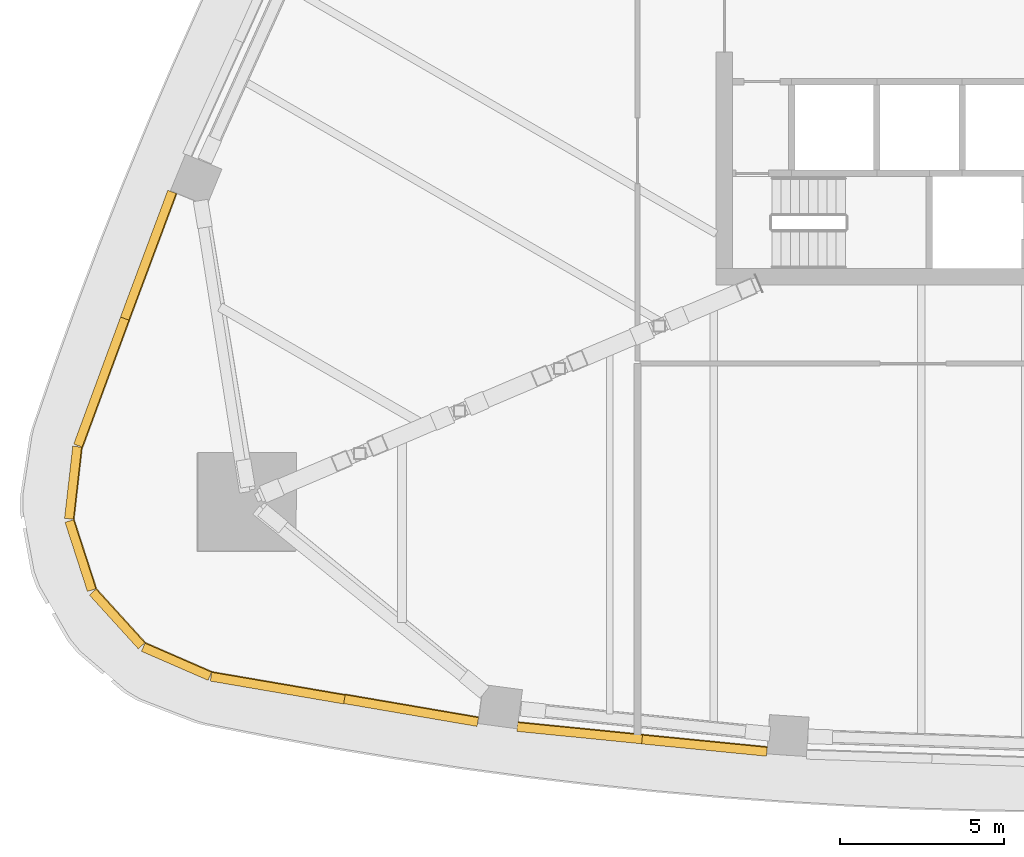
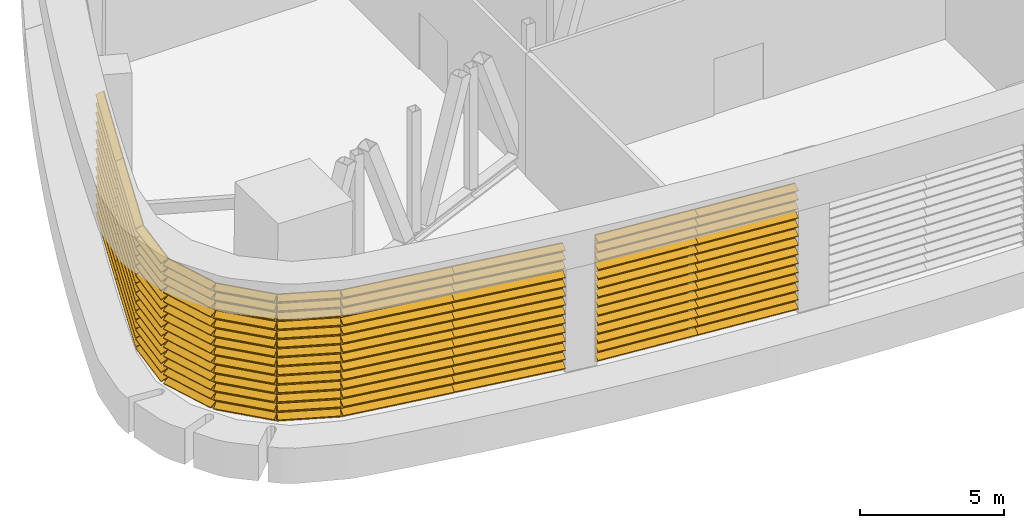
# One storey, part 11 of 18: 10 shading devices.
"""IFC4 building model written with IfcOpenShell, lengths in metres."""

import ifcopenshell
import ifcopenshell.guid

model = None  # the IFC model being written
_history = None  # IfcOwnerHistory: only IFC2X3 demands one
_inside = {}  # id of a spatial element -> (the spatial element, [elements in it])
_under = {}  # id of a project, library or spatial element -> (it, [spatial elements below it])
_declared = {}  # id of a project -> (the project, [libraries it declares])
_typed = {}  # id of a type object -> (the type object, [elements of that type])
_made_of = {}  # id of a material, layer set ... -> (it, [elements and type objects made of it])


def new_model(schema):
    """Start an empty IFC model of exactly this schema.

    Asked for "IFC4X3", IfcOpenShell would pick the latest addendum, in which some entities
    have other attributes; the version numbers below select the first issue.
    IFC2X3 requires an IfcOwnerHistory on every rooted entity: one is made here for all.
    """
    global model, _history
    if schema == "IFC4X3":
        model = ifcopenshell.file(schema_version=(4, 3, 0, 0))
    else:
        model = ifcopenshell.file(schema=schema)
    _inside.clear()
    _under.clear()
    _declared.clear()
    _typed.clear()
    _made_of.clear()
    _history = None
    if model.schema == "IFC2X3":
        org = make("IfcOrganization", Name="unknown")
        user = make(
            "IfcPersonAndOrganization",
            ThePerson=make("IfcPerson", FamilyName="unknown"),
            TheOrganization=org,
        )
        app = make(
            "IfcApplication",
            ApplicationDeveloper=org,
            Version="unknown",
            ApplicationFullName="unknown",
            ApplicationIdentifier="unknown",
        )
        _history = make(
            "IfcOwnerHistory",
            OwningUser=user,
            OwningApplication=app,
            ChangeAction="ADDED",
            CreationDate=0,
        )
    return model


def make(cls, **values):
    """One entity of the class cls with the attributes given. An attribute that is None is left unset."""
    return model.create_entity(
        cls, **{name: value for name, value in values.items() if value is not None}
    )


def rooted(cls, **values):
    """An entity with a GlobalId (a new one), such as an element, a storey or a relation."""
    return make(cls, GlobalId=ifcopenshell.guid.new(), OwnerHistory=_history, **values)


def si_unit(unit_type, name, prefix=None):
    """IfcSIUnit, for example si_unit("LENGTHUNIT", "METRE", prefix="MILLI")."""
    return make("IfcSIUnit", UnitType=unit_type, Prefix=prefix, Name=name)


def assignment(units):
    """IfcUnitAssignment: the units of a project."""
    return None if units is None else make("IfcUnitAssignment", Units=units)


def point(xyz):
    """IfcCartesianPoint."""
    return None if xyz is None else make("IfcCartesianPoint", Coordinates=xyz)


def direction(xyz):
    """IfcDirection."""
    return None if xyz is None else make("IfcDirection", DirectionRatios=xyz)


def frame(location, z_axis=None, x_axis=None):
    """IfcAxis2Placement3D, a coordinate frame: its origin and axes. An axis left out is left unset."""
    return make(
        "IfcAxis2Placement3D",
        Location=point(location),
        Axis=direction(z_axis),
        RefDirection=direction(x_axis),
    )


def origin():
    """The frame at (0, 0, 0) with its axes left unset."""
    return frame((0.0, 0.0, 0.0))


def place(relative_to, where):
    """IfcLocalPlacement: puts the frame where relative to a parent placement (None: the world)."""
    return make(
        "IfcLocalPlacement", PlacementRelTo=relative_to, RelativePlacement=where
    )


def context(
    kind, dimensions, precision=None, world=None, true_north=None, identifier=None
):
    """IfcGeometricRepresentationContext, for example the 3D "Model" context."""
    return make(
        "IfcGeometricRepresentationContext",
        ContextIdentifier=identifier,
        ContextType=kind,
        CoordinateSpaceDimension=dimensions,
        Precision=precision,
        WorldCoordinateSystem=world,
        TrueNorth=true_north,
    )


def subcontext(parent, identifier, kind, view, scale=None):
    """IfcGeometricRepresentationSubContext, for example "Body" below "Model"."""
    return make(
        "IfcGeometricRepresentationSubContext",
        ContextIdentifier=identifier,
        ContextType=kind,
        ParentContext=parent,
        TargetScale=scale,
        TargetView=view,
    )


def project(units=None, contexts=None):
    """IfcProject with its units and contexts."""
    return rooted(
        "IfcProject",
        Name="project",
        RepresentationContexts=contexts,
        UnitsInContext=assignment(units),
    )


def spatial(cls, under=None, at=None, **own):
    """A site, building, storey or space (cls), placed at a placement, below another one or the project."""
    s = rooted(cls, ObjectPlacement=at, **own)
    if under is not None:
        _under.setdefault(under.id(), (under, []))[1].append(s)
    return s


def polyline(points):
    """IfcPolyline through the points."""
    return make("IfcPolyline", Points=[point(p) for p in points])


def outline(outer, holes=None, kind="AREA"):
    """IfcArbitraryClosedProfileDef: a profile drawn as a closed curve; with holes, ...WithVoids."""
    if holes is None:
        return make("IfcArbitraryClosedProfileDef", ProfileType=kind, OuterCurve=outer)
    return make(
        "IfcArbitraryProfileDefWithVoids",
        ProfileType=kind,
        OuterCurve=outer,
        InnerCurves=holes,
    )


def extrude(swept, where, along, depth):
    """IfcExtrudedAreaSolid: the profile swept, set in the frame where, extruded along a direction by depth."""
    return make(
        "IfcExtrudedAreaSolid",
        SweptArea=swept,
        Position=where,
        ExtrudedDirection=direction(along),
        Depth=depth,
    )


def shape(context_of_items, identifier, shape_type, items):
    """IfcShapeRepresentation: the items that make up one representation, for example the "Body"."""
    return make(
        "IfcShapeRepresentation",
        ContextOfItems=context_of_items,
        RepresentationIdentifier=identifier,
        RepresentationType=shape_type,
        Items=items,
    )


def material(Name=None, Category=None):
    """IfcMaterial."""
    return make("IfcMaterial", Name=Name, Category=Category)


def made_of(thing, what):
    """Note that an element or type object is made of a material, layer set ...; save() writes the relation."""
    if what is not None:
        _made_of.setdefault(what.id(), (what, []))[1].append(thing)
    return thing


def type_object(cls, material=None, **own):
    """A type object (cls), such as IfcWallType, which elements share."""
    return made_of(rooted(cls, **own), material)


def element(
    cls,
    number,
    at=None,
    inside=None,
    cuts=None,
    type_object=None,
    material=None,
    context=None,
    identifier="Body",
    shape_type=None,
    held_by="IfcProductDefinitionShape",
    body=None,
    shapes=None,
    **own,
):
    """One element of the class cls, such as IfcWall. Its Tag is "e" and its number.

    at: its placement. inside: the storey or other place that contains it. cuts: it is an
    opening in that element (IfcRelVoidsElement). A single representation is given by context,
    identifier, shape_type and body (its items); several are given by shapes. held_by: the class
    of the entity that holds the representations. save() writes the other relations.
    """
    e = rooted(cls, Tag="e%d" % number, ObjectPlacement=at, **own)
    if body is not None:
        shapes = [shape(context, identifier, shape_type, body)]
    if shapes is not None:
        e.Representation = make(held_by, Representations=shapes)
    if inside is not None:
        _inside.setdefault(inside.id(), (inside, []))[1].append(e)
    if cuts is not None:
        rooted(
            "IfcRelVoidsElement", RelatingBuildingElement=cuts, RelatedOpeningElement=e
        )
    if type_object is not None:
        _typed.setdefault(type_object.id(), (type_object, []))[1].append(e)
    return made_of(e, material)


def aggregate(whole, parts):
    """IfcRelAggregates: a whole, such as a stair, and the parts it consists of."""
    return rooted("IfcRelAggregates", RelatingObject=whole, RelatedObjects=parts)


def save(model, path):
    """Write the relations noted so far, then the file.

    IfcRelAggregates (storeys below a building ...), IfcRelContainedInSpatialStructure (elements
    in a storey), IfcRelDefinesByType, IfcRelAssociatesMaterial and IfcRelDeclares: one each for
    every whole, place, type object, material and project.
    """
    for whole, parts in _under.values():
        aggregate(whole, parts)
    for where, things in _inside.values():
        rooted(
            "IfcRelContainedInSpatialStructure",
            RelatedElements=things,
            RelatingStructure=where,
        )
    for kind, things in _typed.values():
        rooted("IfcRelDefinesByType", RelatedObjects=things, RelatingType=kind)
    for what, things in _made_of.values():
        rooted("IfcRelAssociatesMaterial", RelatedObjects=things, RelatingMaterial=what)
    for by, libraries in _declared.values():
        rooted("IfcRelDeclares", RelatingContext=by, RelatedDefinitions=libraries)
    model.write(path)


model = new_model("IFC4")

# Units and contexts
model_context = context("Model", 3, precision=1e-05, world=origin(), true_north=direction((0.0, 1.0)))
body_context = subcontext(model_context, "Body", "Model", "MODEL_VIEW")
ifc_project = project(units=[si_unit("LENGTHUNIT", "METRE"), si_unit("AREAUNIT", "SQUARE_METRE"), si_unit("VOLUMEUNIT", "CUBIC_METRE"), si_unit("PLANEANGLEUNIT", "RADIAN"), si_unit("MASSUNIT", "GRAM", prefix="KILO")], contexts=[model_context])

# Site, building, storey
site_placement = place(None, origin())
site = spatial("IfcSite", under=ifc_project, at=site_placement, CompositionType="ELEMENT")
building_placement = place(site_placement, origin())
building = spatial("IfcBuilding", under=site, at=building_placement, Name="Sierra Prisma Convention Tower", CompositionType="ELEMENT")
storey_placement = place(building_placement, frame((0.0, 0.0, 112.60009765625)))
storey = spatial("IfcBuildingStorey", under=building, at=storey_placement, Name="L24", CompositionType="ELEMENT", Elevation=112.60009765625)

# Shading devices
ifc_material = material(Name="Aluminium 6063-T6 bronze anodised", Category="aluminium")
shading_device_type = type_object("IfcShadingDeviceType", Name="Louvre bay bronze", PredefinedType="USERDEFINED", material=ifc_material)
shading_device_1_placement = place(storey_placement, frame((-26.3681640625, -19.7783203125, 0.0), z_axis=(-0.985656448734, 0.168764229235, 0.0), x_axis=(0.0, 0.0, 1.0)))
element("IfcShadingDevice", 1, at=shading_device_1_placement, inside=storey, type_object=shading_device_type, Name="Louvre L24 S1.1", ObjectType="LOUVRE", PredefinedType="USERDEFINED", context=body_context, shape_type="SweptSolid", body=[
    extrude(outline(polyline([(0.0, 0.0), (5.39990234375, 0.0), (5.39990234375, -0.029982538845394653), (5.3798828125, -0.029982538845394653), (5.260009765625, -0.2998188140089572), (5.22998046875, -0.2998188140089572), (5.349853515625, -0.029982538845394653), (5.01416015625, -0.029982538845394653), (4.994140625, -0.029982538845394653), (4.874267578125, -0.2998188140089572), (4.84423828125, -0.2998188140089572), (4.964111328125, -0.029982538845394653), (4.62841796875, -0.029982538845394653), (4.6083984375, -0.029982538845394653), (4.488525390625, -0.2998188140089572), (4.45849609375, -0.2998188140089572), (4.578369140625, -0.029982538845394653), (4.24267578125, -0.029982538845394653), (4.22265625, -0.029982538845394653), (4.102783203125, -0.2998188140089572), (4.07275390625, -0.2998188140089572), (4.19287109375, -0.029982538845394653), (3.85693359375, -0.029982538845394653), (3.837158203125, -0.029982538845394653), (3.717041015625, -0.2998188140089572), (3.68701171875, -0.2998188140089572), (3.80712890625, -0.029982538845394653), (3.471435546875, -0.029982538845394653), (3.451416015625, -0.029982538845394653), (3.331298828125, -0.2998188140089572), (3.30126953125, -0.2998188140089572), (3.42138671875, -0.029982538845394653), (3.085693359375, -0.029982538845394653), (3.065673828125, -0.029982538845394653), (2.945556640625, -0.2998188140089572), (2.91552734375, -0.2998188140089572), (3.03564453125, -0.029982538845394653), (2.699951171875, -0.029982538845394653), (2.679931640625, -0.029982538845394653), (2.559814453125, -0.2998188140089572), (2.52978515625, -0.2998188140089572), (2.64990234375, -0.029982538845394653), (2.314208984375, -0.029982538845394653), (2.294189453125, -0.029982538845394653), (2.174072265625, -0.2998188140089572), (2.144287109375, -0.2998188140089572), (2.26416015625, -0.029982538845394653), (1.928466796875, -0.029982538845394653), (1.908447265625, -0.029982538845394653), (1.78857421875, -0.2998188140089572), (1.758544921875, -0.2998188140089572), (1.87841796875, -0.029982538845394653), (1.542724609375, -0.029982538845394653), (1.522705078125, -0.029982538845394653), (1.40283203125, -0.2998188140089572), (1.372802734375, -0.2998188140089572), (1.49267578125, -0.029982538845394653), (1.156982421875, -0.029982538845394653), (1.136962890625, -0.029982538845394653), (1.01708984375, -0.2998188140089572), (0.987060546875, -0.2998188140089572), (1.10693359375, -0.029982538845394653), (0.771240234375, -0.029982538845394653), (0.751220703125, -0.029982538845394653), (0.63134765625, -0.2998188140089572), (0.601318359375, -0.2998188140089572), (0.721435546875, -0.029982538845394653), (0.385498046875, -0.029982538845394653), (0.36572265625, -0.029982538845394653), (0.24560546875, -0.2998188140089572), (0.215576171875, -0.2998188140089572), (0.335693359375, -0.029982538845394653), (0.0, -0.029982538845394653), (0.0, 0.0)])), origin(), (0.0, 0.0, -1.0), 4.123291015625),
])
shading_device_2_placement = place(storey_placement, frame((-22.302001953125, -20.463134765625, 0.0), z_axis=(-0.985667054342, 0.168702276168, 0.0), x_axis=(0.0, 0.0, 1.0)))
element("IfcShadingDevice", 2, at=shading_device_2_placement, inside=storey, type_object=shading_device_type, Name="Louvre L24 S1.2", ObjectType="LOUVRE", PredefinedType="USERDEFINED", context=body_context, shape_type="SweptSolid", body=[
    extrude(outline(polyline([(0.0, 0.0), (5.39990234375, 0.0), (5.39990234375, -0.029982534515366425), (5.3798828125, -0.029982534515366425), (5.260009765625, -0.30005950542018606), (5.22998046875, -0.30005950542018606), (5.349853515625, -0.029982534515366425), (5.01416015625, -0.029982534515366425), (4.994140625, -0.029982534515366425), (4.874267578125, -0.30005950542018606), (4.84423828125, -0.30005950542018606), (4.964111328125, -0.029982534515366425), (4.62841796875, -0.029982534515366425), (4.6083984375, -0.029982534515366425), (4.488525390625, -0.30005950542018606), (4.45849609375, -0.30005950542018606), (4.578369140625, -0.029982534515366425), (4.24267578125, -0.029982534515366425), (4.22265625, -0.029982534515366425), (4.102783203125, -0.30005950542018606), (4.07275390625, -0.30005950542018606), (4.19287109375, -0.029982534515366425), (3.85693359375, -0.029982534515366425), (3.837158203125, -0.029982534515366425), (3.717041015625, -0.30005950542018606), (3.68701171875, -0.30005950542018606), (3.80712890625, -0.029982534515366425), (3.471435546875, -0.029982534515366425), (3.451416015625, -0.029982534515366425), (3.331298828125, -0.30005950542018606), (3.30126953125, -0.30005950542018606), (3.42138671875, -0.029982534515366425), (3.085693359375, -0.029982534515366425), (3.065673828125, -0.029982534515366425), (2.945556640625, -0.30005950542018606), (2.91552734375, -0.30005950542018606), (3.03564453125, -0.029982534515366425), (2.699951171875, -0.029982534515366425), (2.679931640625, -0.029982534515366425), (2.559814453125, -0.30005950542018606), (2.52978515625, -0.30005950542018606), (2.64990234375, -0.029982534515366425), (2.314208984375, -0.029982534515366425), (2.294189453125, -0.029982534515366425), (2.174072265625, -0.30005950542018606), (2.144287109375, -0.30005950542018606), (2.26416015625, -0.029982534515366425), (1.928466796875, -0.029982534515366425), (1.908447265625, -0.029982534515366425), (1.78857421875, -0.30005950542018606), (1.758544921875, -0.30005950542018606), (1.87841796875, -0.029982534515366425), (1.542724609375, -0.029982534515366425), (1.522705078125, -0.029982534515366425), (1.40283203125, -0.30005950542018606), (1.372802734375, -0.30005950542018606), (1.49267578125, -0.029982534515366425), (1.156982421875, -0.029982534515366425), (1.136962890625, -0.029982534515366425), (1.01708984375, -0.30005950542018606), (0.987060546875, -0.30005950542018606), (1.10693359375, -0.029982534515366425), (0.771240234375, -0.029982534515366425), (0.751220703125, -0.029982534515366425), (0.63134765625, -0.30005950542018606), (0.601318359375, -0.30005950542018606), (0.721435546875, -0.029982534515366425), (0.385498046875, -0.029982534515366425), (0.36572265625, -0.029982534515366425), (0.24560546875, -0.30005950542018606), (0.215576171875, -0.30005950542018606), (0.335693359375, -0.029982534515366425), (0.0, -0.029982534515366425), (0.0, 0.0)])), origin(), (0.0, 0.0, -1.0), 4.123291015625),
])
shading_device_3_placement = place(storey_placement, frame((-17.04736328125, -21.3076171875, 0.0), z_axis=(-0.995098678477, 0.098886905574, 0.0), x_axis=(0.0, 0.0, 1.0)))
element("IfcShadingDevice", 3, at=shading_device_3_placement, inside=storey, type_object=shading_device_type, Name="Louvre L24 S2.1", ObjectType="LOUVRE", PredefinedType="USERDEFINED", context=body_context, shape_type="SweptSolid", body=[
    extrude(outline(polyline([(0.0, 0.0), (5.39990234375, 0.0), (5.39990234375, -0.029928877353769714), (5.3798828125, -0.029928877353769714), (5.260009765625, -0.30009003251039046), (5.22998046875, -0.30009003251039046), (5.349853515625, -0.029928877353769714), (5.01416015625, -0.029928877353769714), (4.994140625, -0.029928877353769714), (4.874267578125, -0.30009003251039046), (4.84423828125, -0.30009003251039046), (4.964111328125, -0.029928877353769714), (4.62841796875, -0.029928877353769714), (4.6083984375, -0.029928877353769714), (4.488525390625, -0.30009003251039046), (4.45849609375, -0.30009003251039046), (4.578369140625, -0.029928877353769714), (4.24267578125, -0.029928877353769714), (4.22265625, -0.029928877353769714), (4.102783203125, -0.30009003251039046), (4.07275390625, -0.30009003251039046), (4.19287109375, -0.029928877353769714), (3.85693359375, -0.029928877353769714), (3.837158203125, -0.029928877353769714), (3.717041015625, -0.30009003251039046), (3.68701171875, -0.30009003251039046), (3.80712890625, -0.029928877353769714), (3.471435546875, -0.029928877353769714), (3.451416015625, -0.029928877353769714), (3.331298828125, -0.30009003251039046), (3.30126953125, -0.30009003251039046), (3.42138671875, -0.029928877353769714), (3.085693359375, -0.029928877353769714), (3.065673828125, -0.029928877353769714), (2.945556640625, -0.30009003251039046), (2.91552734375, -0.30009003251039046), (3.03564453125, -0.029928877353769714), (2.699951171875, -0.029928877353769714), (2.679931640625, -0.029928877353769714), (2.559814453125, -0.30009003251039046), (2.52978515625, -0.30009003251039046), (2.64990234375, -0.029928877353769714), (2.314208984375, -0.029928877353769714), (2.294189453125, -0.029928877353769714), (2.174072265625, -0.30009003251039046), (2.144287109375, -0.30009003251039046), (2.26416015625, -0.029928877353769714), (1.928466796875, -0.029928877353769714), (1.908447265625, -0.029928877353769714), (1.78857421875, -0.30009003251039046), (1.758544921875, -0.30009003251039046), (1.87841796875, -0.029928877353769714), (1.542724609375, -0.029928877353769714), (1.522705078125, -0.029928877353769714), (1.40283203125, -0.30009003251039046), (1.372802734375, -0.30009003251039046), (1.49267578125, -0.029928877353769714), (1.156982421875, -0.029928877353769714), (1.136962890625, -0.029928877353769714), (1.01708984375, -0.30009003251039046), (0.987060546875, -0.30009003251039046), (1.10693359375, -0.029928877353769714), (0.771240234375, -0.029928877353769714), (0.751220703125, -0.029928877353769714), (0.63134765625, -0.30009003251039046), (0.601318359375, -0.30009003251039046), (0.721435546875, -0.029928877353769714), (0.385498046875, -0.029928877353769714), (0.36572265625, -0.029928877353769714), (0.24560546875, -0.30009003251039046), (0.215576171875, -0.30009003251039046), (0.335693359375, -0.029928877353769714), (0.0, -0.029928877353769714), (0.0, 0.0)])), origin(), (0.0, 0.0, -1.0), 3.823486328125),
])
shading_device_4_placement = place(storey_placement, frame((-13.2431640625, -21.689697265625, 0.0), z_axis=(-0.995177909285, 0.098086333767, 0.0), x_axis=(0.0, 0.0, 1.0)))
element("IfcShadingDevice", 4, at=shading_device_4_placement, inside=storey, type_object=shading_device_type, Name="Louvre L24 S2.2", ObjectType="LOUVRE", PredefinedType="USERDEFINED", context=body_context, shape_type="SweptSolid", body=[
    extrude(outline(polyline([(0.0, 0.0), (5.39990234375, 0.0), (5.39990234375, -0.03017185518730831), (5.3798828125, -0.03017185518730831), (5.260009765625, -0.3000657020934301), (5.22998046875, -0.3000657020934301), (5.349853515625, -0.03017185518730831), (5.01416015625, -0.03017185518730831), (4.994140625, -0.03017185518730831), (4.874267578125, -0.3000657020934301), (4.84423828125, -0.3000657020934301), (4.964111328125, -0.03017185518730831), (4.62841796875, -0.03017185518730831), (4.6083984375, -0.03017185518730831), (4.488525390625, -0.3000657020934301), (4.45849609375, -0.3000657020934301), (4.578369140625, -0.03017185518730831), (4.24267578125, -0.03017185518730831), (4.22265625, -0.03017185518730831), (4.102783203125, -0.3000657020934301), (4.07275390625, -0.3000657020934301), (4.19287109375, -0.03017185518730831), (3.85693359375, -0.03017185518730831), (3.837158203125, -0.03017185518730831), (3.717041015625, -0.3000657020934301), (3.68701171875, -0.3000657020934301), (3.80712890625, -0.03017185518730831), (3.471435546875, -0.03017185518730831), (3.451416015625, -0.03017185518730831), (3.331298828125, -0.3000657020934301), (3.30126953125, -0.3000657020934301), (3.42138671875, -0.03017185518730831), (3.085693359375, -0.03017185518730831), (3.065673828125, -0.03017185518730831), (2.945556640625, -0.3000657020934301), (2.91552734375, -0.3000657020934301), (3.03564453125, -0.03017185518730831), (2.699951171875, -0.03017185518730831), (2.679931640625, -0.03017185518730831), (2.559814453125, -0.3000657020934301), (2.52978515625, -0.3000657020934301), (2.64990234375, -0.03017185518730831), (2.314208984375, -0.03017185518730831), (2.294189453125, -0.03017185518730831), (2.174072265625, -0.3000657020934301), (2.144287109375, -0.3000657020934301), (2.26416015625, -0.03017185518730831), (1.928466796875, -0.03017185518730831), (1.908447265625, -0.03017185518730831), (1.78857421875, -0.3000657020934301), (1.758544921875, -0.3000657020934301), (1.87841796875, -0.03017185518730831), (1.542724609375, -0.03017185518730831), (1.522705078125, -0.03017185518730831), (1.40283203125, -0.3000657020934301), (1.372802734375, -0.3000657020934301), (1.49267578125, -0.03017185518730831), (1.156982421875, -0.03017185518730831), (1.136962890625, -0.03017185518730831), (1.01708984375, -0.3000657020934301), (0.987060546875, -0.3000657020934301), (1.10693359375, -0.03017185518730831), (0.771240234375, -0.03017185518730831), (0.751220703125, -0.03017185518730831), (0.63134765625, -0.3000657020934301), (0.601318359375, -0.3000657020934301), (0.721435546875, -0.03017185518730831), (0.385498046875, -0.03017185518730831), (0.36572265625, -0.03017185518730831), (0.24560546875, -0.3000657020934301), (0.215576171875, -0.3000657020934301), (0.335693359375, -0.03017185518730831), (0.0, -0.03017185518730831), (0.0, 0.0)])), origin(), (0.0, 0.0, -1.0), 3.823486328125),
])
shading_device_5_placement = place(storey_placement, frame((-27.4326171875, -5.21875, 0.0), z_axis=(0.349659485193, 0.93687685659, 0.0), x_axis=(0.0, 0.0, 1.0)))
element("IfcShadingDevice", 5, at=shading_device_5_placement, inside=storey, type_object=shading_device_type, Name="Louvre L24 NW6.1", ObjectType="LOUVRE", PredefinedType="USERDEFINED", context=body_context, shape_type="SweptSolid", body=[
    extrude(outline(polyline([(0.0, 0.0), (5.39990234375, 0.0), (5.39990234375, -0.029974657317184142), (5.3798828125, -0.029974657317184142), (5.260009765625, -0.3001186664892212), (5.22998046875, -0.3001186664892212), (5.349853515625, -0.029974657317184142), (5.01416015625, -0.029974657317184142), (4.994140625, -0.029974657317184142), (4.874267578125, -0.3001186664892212), (4.84423828125, -0.3001186664892212), (4.964111328125, -0.029974657317184142), (4.62841796875, -0.029974657317184142), (4.6083984375, -0.029974657317184142), (4.488525390625, -0.3001186664892212), (4.45849609375, -0.3001186664892212), (4.578369140625, -0.029974657317184142), (4.24267578125, -0.029974657317184142), (4.22265625, -0.029974657317184142), (4.102783203125, -0.3001186664892212), (4.07275390625, -0.3001186664892212), (4.19287109375, -0.029974657317184142), (3.85693359375, -0.029974657317184142), (3.837158203125, -0.029974657317184142), (3.717041015625, -0.3001186664892212), (3.68701171875, -0.3001186664892212), (3.80712890625, -0.029974657317184142), (3.471435546875, -0.029974657317184142), (3.451416015625, -0.029974657317184142), (3.331298828125, -0.3001186664892212), (3.30126953125, -0.3001186664892212), (3.42138671875, -0.029974657317184142), (3.085693359375, -0.029974657317184142), (3.065673828125, -0.029974657317184142), (2.945556640625, -0.3001186664892212), (2.91552734375, -0.3001186664892212), (3.03564453125, -0.029974657317184142), (2.699951171875, -0.029974657317184142), (2.679931640625, -0.029974657317184142), (2.559814453125, -0.3001186664892212), (2.52978515625, -0.3001186664892212), (2.64990234375, -0.029974657317184142), (2.314208984375, -0.029974657317184142), (2.294189453125, -0.029974657317184142), (2.174072265625, -0.3001186664892212), (2.144287109375, -0.3001186664892212), (2.26416015625, -0.029974657317184142), (1.928466796875, -0.029974657317184142), (1.908447265625, -0.029974657317184142), (1.78857421875, -0.3001186664892212), (1.758544921875, -0.3001186664892212), (1.87841796875, -0.029974657317184142), (1.542724609375, -0.029974657317184142), (1.522705078125, -0.029974657317184142), (1.40283203125, -0.3001186664892212), (1.372802734375, -0.3001186664892212), (1.49267578125, -0.029974657317184142), (1.156982421875, -0.029974657317184142), (1.136962890625, -0.029974657317184142), (1.01708984375, -0.3001186664892212), (0.987060546875, -0.3001186664892212), (1.10693359375, -0.029974657317184142), (0.771240234375, -0.029974657317184142), (0.751220703125, -0.029974657317184142), (0.63134765625, -0.3001186664892212), (0.601318359375, -0.3001186664892212), (0.721435546875, -0.029974657317184142), (0.385498046875, -0.029974657317184142), (0.36572265625, -0.029974657317184142), (0.24560546875, -0.3001186664892212), (0.215576171875, -0.3001186664892212), (0.335693359375, -0.029974657317184142), (0.0, -0.029974657317184142), (0.0, 0.0)])), origin(), (0.0, 0.0, -1.0), 4.123291015625),
])
shading_device_6_placement = place(storey_placement, frame((-28.87255859375, -9.08251953125, 0.0), z_axis=(0.345774695932, 0.938317568659, 0.0), x_axis=(0.0, 0.0, 1.0)))
element("IfcShadingDevice", 6, at=shading_device_6_placement, inside=storey, type_object=shading_device_type, Name="Louvre L24 NW6.2", ObjectType="LOUVRE", PredefinedType="USERDEFINED", context=body_context, shape_type="SweptSolid", body=[
    extrude(outline(polyline([(0.0, 0.0), (5.39990234375, 0.0), (5.39990234375, -0.02988990664669619), (5.3798828125, -0.02988990664669619), (5.260009765625, -0.3001169881956489), (5.22998046875, -0.3001169881956489), (5.349853515625, -0.02988990664669619), (5.01416015625, -0.02988990664669619), (4.994140625, -0.02988990664669619), (4.874267578125, -0.3001169881956489), (4.84423828125, -0.3001169881956489), (4.964111328125, -0.02988990664669619), (4.62841796875, -0.02988990664669619), (4.6083984375, -0.02988990664669619), (4.488525390625, -0.3001169881956489), (4.45849609375, -0.3001169881956489), (4.578369140625, -0.02988990664669619), (4.24267578125, -0.02988990664669619), (4.22265625, -0.02988990664669619), (4.102783203125, -0.3001169881956489), (4.07275390625, -0.3001169881956489), (4.19287109375, -0.02988990664669619), (3.85693359375, -0.02988990664669619), (3.837158203125, -0.02988990664669619), (3.717041015625, -0.3001169881956489), (3.68701171875, -0.3001169881956489), (3.80712890625, -0.02988990664669619), (3.471435546875, -0.02988990664669619), (3.451416015625, -0.02988990664669619), (3.331298828125, -0.3001169881956489), (3.30126953125, -0.3001169881956489), (3.42138671875, -0.02988990664669619), (3.085693359375, -0.02988990664669619), (3.065673828125, -0.02988990664669619), (2.945556640625, -0.3001169881956489), (2.91552734375, -0.3001169881956489), (3.03564453125, -0.02988990664669619), (2.699951171875, -0.02988990664669619), (2.679931640625, -0.02988990664669619), (2.559814453125, -0.3001169881956489), (2.52978515625, -0.3001169881956489), (2.64990234375, -0.02988990664669619), (2.314208984375, -0.02988990664669619), (2.294189453125, -0.02988990664669619), (2.174072265625, -0.3001169881956489), (2.144287109375, -0.3001169881956489), (2.26416015625, -0.02988990664669619), (1.928466796875, -0.02988990664669619), (1.908447265625, -0.02988990664669619), (1.78857421875, -0.3001169881956489), (1.758544921875, -0.3001169881956489), (1.87841796875, -0.02988990664669619), (1.542724609375, -0.02988990664669619), (1.522705078125, -0.02988990664669619), (1.40283203125, -0.3001169881956489), (1.372802734375, -0.3001169881956489), (1.49267578125, -0.02988990664669619), (1.156982421875, -0.02988990664669619), (1.136962890625, -0.02988990664669619), (1.01708984375, -0.3001169881956489), (0.987060546875, -0.3001169881956489), (1.10693359375, -0.02988990664669619), (0.771240234375, -0.02988990664669619), (0.751220703125, -0.02988990664669619), (0.63134765625, -0.3001169881956489), (0.601318359375, -0.3001169881956489), (0.721435546875, -0.02988990664669619), (0.385498046875, -0.02988990664669619), (0.36572265625, -0.02988990664669619), (0.24560546875, -0.3001169881956489), (0.215576171875, -0.3001169881956489), (0.335693359375, -0.02988990664669619), (0.0, -0.02988990664669619), (0.0, 0.0)])), origin(), (0.0, 0.0, -1.0), 4.123291015625),
])
shading_device_7_placement = place(storey_placement, frame((-30.3125, -12.946533203125, 0.0), z_axis=(0.112860654306, 0.99361082558, 0.0), x_axis=(0.0, 0.0, 1.0)))
element("IfcShadingDevice", 7, at=shading_device_7_placement, inside=storey, type_object=shading_device_type, Name="Louvre L24 SW1.1", ObjectType="LOUVRE", PredefinedType="USERDEFINED", context=body_context, shape_type="SweptSolid", body=[
    extrude(outline(polyline([(0.0, 0.0), (5.39990234375, 0.0), (5.39990234375, -0.02998060788111205), (5.3798828125, -0.02998060788111205), (5.260009765625, -0.2999659979670438), (5.22998046875, -0.2999659979670438), (5.349853515625, -0.02998060788111205), (5.01416015625, -0.02998060788111205), (4.994140625, -0.02998060788111205), (4.874267578125, -0.2999659979670438), (4.84423828125, -0.2999659979670438), (4.964111328125, -0.02998060788111205), (4.62841796875, -0.02998060788111205), (4.6083984375, -0.02998060788111205), (4.488525390625, -0.2999659979670438), (4.45849609375, -0.2999659979670438), (4.578369140625, -0.02998060788111205), (4.24267578125, -0.02998060788111205), (4.22265625, -0.02998060788111205), (4.102783203125, -0.2999659979670438), (4.07275390625, -0.2999659979670438), (4.19287109375, -0.02998060788111205), (3.85693359375, -0.02998060788111205), (3.837158203125, -0.02998060788111205), (3.717041015625, -0.2999659979670438), (3.68701171875, -0.2999659979670438), (3.80712890625, -0.02998060788111205), (3.471435546875, -0.02998060788111205), (3.451416015625, -0.02998060788111205), (3.331298828125, -0.2999659979670438), (3.30126953125, -0.2999659979670438), (3.42138671875, -0.02998060788111205), (3.085693359375, -0.02998060788111205), (3.065673828125, -0.02998060788111205), (2.945556640625, -0.2999659979670438), (2.91552734375, -0.2999659979670438), (3.03564453125, -0.02998060788111205), (2.699951171875, -0.02998060788111205), (2.679931640625, -0.02998060788111205), (2.559814453125, -0.2999659979670438), (2.52978515625, -0.2999659979670438), (2.64990234375, -0.02998060788111205), (2.314208984375, -0.02998060788111205), (2.294189453125, -0.02998060788111205), (2.174072265625, -0.2999659979670438), (2.144287109375, -0.2999659979670438), (2.26416015625, -0.02998060788111205), (1.928466796875, -0.02998060788111205), (1.908447265625, -0.02998060788111205), (1.78857421875, -0.2999659979670438), (1.758544921875, -0.2999659979670438), (1.87841796875, -0.02998060788111205), (1.542724609375, -0.02998060788111205), (1.522705078125, -0.02998060788111205), (1.40283203125, -0.2999659979670438), (1.372802734375, -0.2999659979670438), (1.49267578125, -0.02998060788111205), (1.156982421875, -0.02998060788111205), (1.136962890625, -0.02998060788111205), (1.01708984375, -0.2999659979670438), (0.987060546875, -0.2999659979670438), (1.10693359375, -0.02998060788111205), (0.771240234375, -0.02998060788111205), (0.751220703125, -0.02998060788111205), (0.63134765625, -0.2999659979670438), (0.601318359375, -0.2999659979670438), (0.721435546875, -0.02998060788111205), (0.385498046875, -0.02998060788111205), (0.36572265625, -0.02998060788111205), (0.24560546875, -0.2999659979670438), (0.215576171875, -0.2999659979670438), (0.335693359375, -0.02998060788111205), (0.0, -0.02998060788111205), (0.0, 0.0)])), origin(), (0.0, 0.0, -1.0), 2.212646484375),
])
shading_device_8_placement = place(storey_placement, frame((-30.55908203125, -15.145263671875, 0.0), z_axis=(-0.308001410193, 0.951385900316, 0.0), x_axis=(0.0, 0.0, 1.0)))
element("IfcShadingDevice", 8, at=shading_device_8_placement, inside=storey, type_object=shading_device_type, Name="Louvre L24 SW2.1", ObjectType="LOUVRE", PredefinedType="USERDEFINED", context=body_context, shape_type="SweptSolid", body=[
    extrude(outline(polyline([(0.0, 0.0), (5.39990234375, 0.0), (5.39990234375, -0.030033252911193065), (5.3798828125, -0.030033252911193065), (5.260009765625, -0.2998746701932553), (5.22998046875, -0.2998746701932553), (5.349853515625, -0.030033252911193065), (5.01416015625, -0.030033252911193065), (4.994140625, -0.030033252911193065), (4.874267578125, -0.2998746701932553), (4.84423828125, -0.2998746701932553), (4.964111328125, -0.030033252911193065), (4.62841796875, -0.030033252911193065), (4.6083984375, -0.030033252911193065), (4.488525390625, -0.2998746701932553), (4.45849609375, -0.2998746701932553), (4.578369140625, -0.030033252911193065), (4.24267578125, -0.030033252911193065), (4.22265625, -0.030033252911193065), (4.102783203125, -0.2998746701932553), (4.07275390625, -0.2998746701932553), (4.19287109375, -0.030033252911193065), (3.85693359375, -0.030033252911193065), (3.837158203125, -0.030033252911193065), (3.717041015625, -0.2998746701932553), (3.68701171875, -0.2998746701932553), (3.80712890625, -0.030033252911193065), (3.471435546875, -0.030033252911193065), (3.451416015625, -0.030033252911193065), (3.331298828125, -0.2998746701932553), (3.30126953125, -0.2998746701932553), (3.42138671875, -0.030033252911193065), (3.085693359375, -0.030033252911193065), (3.065673828125, -0.030033252911193065), (2.945556640625, -0.2998746701932553), (2.91552734375, -0.2998746701932553), (3.03564453125, -0.030033252911193065), (2.699951171875, -0.030033252911193065), (2.679931640625, -0.030033252911193065), (2.559814453125, -0.2998746701932553), (2.52978515625, -0.2998746701932553), (2.64990234375, -0.030033252911193065), (2.314208984375, -0.030033252911193065), (2.294189453125, -0.030033252911193065), (2.174072265625, -0.2998746701932553), (2.144287109375, -0.2998746701932553), (2.26416015625, -0.030033252911193065), (1.928466796875, -0.030033252911193065), (1.908447265625, -0.030033252911193065), (1.78857421875, -0.2998746701932553), (1.758544921875, -0.2998746701932553), (1.87841796875, -0.030033252911193065), (1.542724609375, -0.030033252911193065), (1.522705078125, -0.030033252911193065), (1.40283203125, -0.2998746701932553), (1.372802734375, -0.2998746701932553), (1.49267578125, -0.030033252911193065), (1.156982421875, -0.030033252911193065), (1.136962890625, -0.030033252911193065), (1.01708984375, -0.2998746701932553), (0.987060546875, -0.2998746701932553), (1.10693359375, -0.030033252911193065), (0.771240234375, -0.030033252911193065), (0.751220703125, -0.030033252911193065), (0.63134765625, -0.2998746701932553), (0.601318359375, -0.2998746701932553), (0.721435546875, -0.030033252911193065), (0.385498046875, -0.030033252911193065), (0.36572265625, -0.030033252911193065), (0.24560546875, -0.2998746701932553), (0.215576171875, -0.2998746701932553), (0.335693359375, -0.030033252911193065), (0.0, -0.030033252911193065), (0.0, 0.0)])), origin(), (0.0, 0.0, -1.0), 2.212646484375),
])
shading_device_9_placement = place(storey_placement, frame((-29.880126953125, -17.251220703125, 0.0), z_axis=(-0.672683282578, 0.739930538186, 0.0), x_axis=(0.0, 0.0, 1.0)))
element("IfcShadingDevice", 9, at=shading_device_9_placement, inside=storey, type_object=shading_device_type, Name="Louvre L24 SW3.1", ObjectType="LOUVRE", PredefinedType="USERDEFINED", context=body_context, shape_type="SweptSolid", body=[
    extrude(outline(polyline([(0.0, 0.0), (5.39990234375, 0.0), (5.39990234375, -0.03006991978244422), (5.3798828125, -0.03006991978244422), (5.260009765625, -0.30005869834331345), (5.22998046875, -0.30005869834331345), (5.349853515625, -0.03006991978244422), (5.01416015625, -0.03006991978244422), (4.994140625, -0.03006991978244422), (4.874267578125, -0.30005869834331345), (4.84423828125, -0.30005869834331345), (4.964111328125, -0.03006991978244422), (4.62841796875, -0.03006991978244422), (4.6083984375, -0.03006991978244422), (4.488525390625, -0.30005869834331345), (4.45849609375, -0.30005869834331345), (4.578369140625, -0.03006991978244422), (4.24267578125, -0.03006991978244422), (4.22265625, -0.03006991978244422), (4.102783203125, -0.30005869834331345), (4.07275390625, -0.30005869834331345), (4.19287109375, -0.03006991978244422), (3.85693359375, -0.03006991978244422), (3.837158203125, -0.03006991978244422), (3.717041015625, -0.30005869834331345), (3.68701171875, -0.30005869834331345), (3.80712890625, -0.03006991978244422), (3.471435546875, -0.03006991978244422), (3.451416015625, -0.03006991978244422), (3.331298828125, -0.30005869834331345), (3.30126953125, -0.30005869834331345), (3.42138671875, -0.03006991978244422), (3.085693359375, -0.03006991978244422), (3.065673828125, -0.03006991978244422), (2.945556640625, -0.30005869834331345), (2.91552734375, -0.30005869834331345), (3.03564453125, -0.03006991978244422), (2.699951171875, -0.03006991978244422), (2.679931640625, -0.03006991978244422), (2.559814453125, -0.30005869834331345), (2.52978515625, -0.30005869834331345), (2.64990234375, -0.03006991978244422), (2.314208984375, -0.03006991978244422), (2.294189453125, -0.03006991978244422), (2.174072265625, -0.30005869834331345), (2.144287109375, -0.30005869834331345), (2.26416015625, -0.03006991978244422), (1.928466796875, -0.03006991978244422), (1.908447265625, -0.03006991978244422), (1.78857421875, -0.30005869834331345), (1.758544921875, -0.30005869834331345), (1.87841796875, -0.03006991978244422), (1.542724609375, -0.03006991978244422), (1.522705078125, -0.03006991978244422), (1.40283203125, -0.30005869834331345), (1.372802734375, -0.30005869834331345), (1.49267578125, -0.03006991978244422), (1.156982421875, -0.03006991978244422), (1.136962890625, -0.03006991978244422), (1.01708984375, -0.30005869834331345), (0.987060546875, -0.30005869834331345), (1.10693359375, -0.03006991978244422), (0.771240234375, -0.03006991978244422), (0.751220703125, -0.03006991978244422), (0.63134765625, -0.30005869834331345), (0.601318359375, -0.30005869834331345), (0.721435546875, -0.03006991978244422), (0.385498046875, -0.03006991978244422), (0.36572265625, -0.03006991978244422), (0.24560546875, -0.30005869834331345), (0.215576171875, -0.30005869834331345), (0.335693359375, -0.03006991978244422), (0.0, -0.03006991978244422), (0.0, 0.0)])), origin(), (0.0, 0.0, -1.0), 2.212646484375),
])
shading_device_10_placement = place(storey_placement, frame((-28.395751953125, -18.89208984375, 0.0), z_axis=(-0.916949205874, 0.39900395217, 0.0), x_axis=(0.0, 0.0, 1.0)))
element("IfcShadingDevice", 10, at=shading_device_10_placement, inside=storey, type_object=shading_device_type, Name="Louvre L24 SW4.1", ObjectType="LOUVRE", PredefinedType="USERDEFINED", context=body_context, shape_type="SweptSolid", body=[
    extrude(outline(polyline([(0.0, 0.0), (5.39990234375, 0.0), (5.39990234375, -0.030069935039081373), (5.3798828125, -0.030069935039081373), (5.260009765625, -0.2999987183304729), (5.22998046875, -0.2999987183304729), (5.349853515625, -0.030069935039081373), (5.01416015625, -0.030069935039081373), (4.994140625, -0.030069935039081373), (4.874267578125, -0.2999987183304729), (4.84423828125, -0.2999987183304729), (4.964111328125, -0.030069935039081373), (4.62841796875, -0.030069935039081373), (4.6083984375, -0.030069935039081373), (4.488525390625, -0.2999987183304729), (4.45849609375, -0.2999987183304729), (4.578369140625, -0.030069935039081373), (4.24267578125, -0.030069935039081373), (4.22265625, -0.030069935039081373), (4.102783203125, -0.2999987183304729), (4.07275390625, -0.2999987183304729), (4.19287109375, -0.030069935039081373), (3.85693359375, -0.030069935039081373), (3.837158203125, -0.030069935039081373), (3.717041015625, -0.2999987183304729), (3.68701171875, -0.2999987183304729), (3.80712890625, -0.030069935039081373), (3.471435546875, -0.030069935039081373), (3.451416015625, -0.030069935039081373), (3.331298828125, -0.2999987183304729), (3.30126953125, -0.2999987183304729), (3.42138671875, -0.030069935039081373), (3.085693359375, -0.030069935039081373), (3.065673828125, -0.030069935039081373), (2.945556640625, -0.2999987183304729), (2.91552734375, -0.2999987183304729), (3.03564453125, -0.030069935039081373), (2.699951171875, -0.030069935039081373), (2.679931640625, -0.030069935039081373), (2.559814453125, -0.2999987183304729), (2.52978515625, -0.2999987183304729), (2.64990234375, -0.030069935039081373), (2.314208984375, -0.030069935039081373), (2.294189453125, -0.030069935039081373), (2.174072265625, -0.2999987183304729), (2.144287109375, -0.2999987183304729), (2.26416015625, -0.030069935039081373), (1.928466796875, -0.030069935039081373), (1.908447265625, -0.030069935039081373), (1.78857421875, -0.2999987183304729), (1.758544921875, -0.2999987183304729), (1.87841796875, -0.030069935039081373), (1.542724609375, -0.030069935039081373), (1.522705078125, -0.030069935039081373), (1.40283203125, -0.2999987183304729), (1.372802734375, -0.2999987183304729), (1.49267578125, -0.030069935039081373), (1.156982421875, -0.030069935039081373), (1.136962890625, -0.030069935039081373), (1.01708984375, -0.2999987183304729), (0.987060546875, -0.2999987183304729), (1.10693359375, -0.030069935039081373), (0.771240234375, -0.030069935039081373), (0.751220703125, -0.030069935039081373), (0.63134765625, -0.2999987183304729), (0.601318359375, -0.2999987183304729), (0.721435546875, -0.030069935039081373), (0.385498046875, -0.030069935039081373), (0.36572265625, -0.030069935039081373), (0.24560546875, -0.2999987183304729), (0.215576171875, -0.2999987183304729), (0.335693359375, -0.030069935039081373), (0.0, -0.030069935039081373), (0.0, 0.0)])), origin(), (0.0, 0.0, -1.0), 2.212646484375),
])

save(model, "model.ifc")
